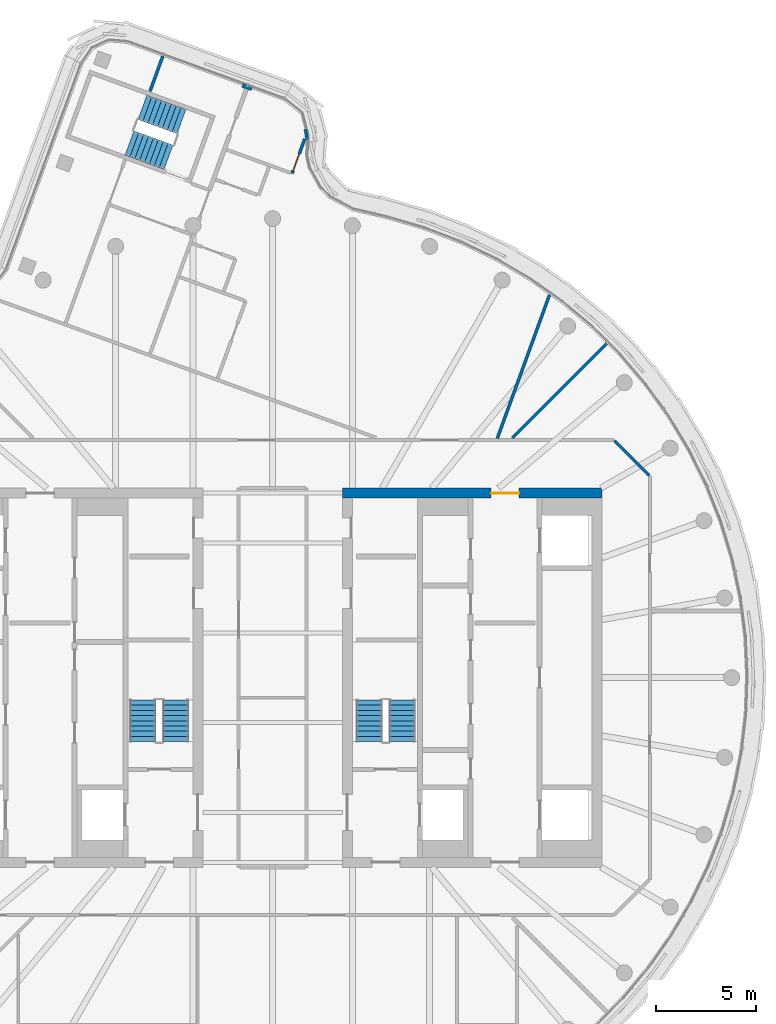
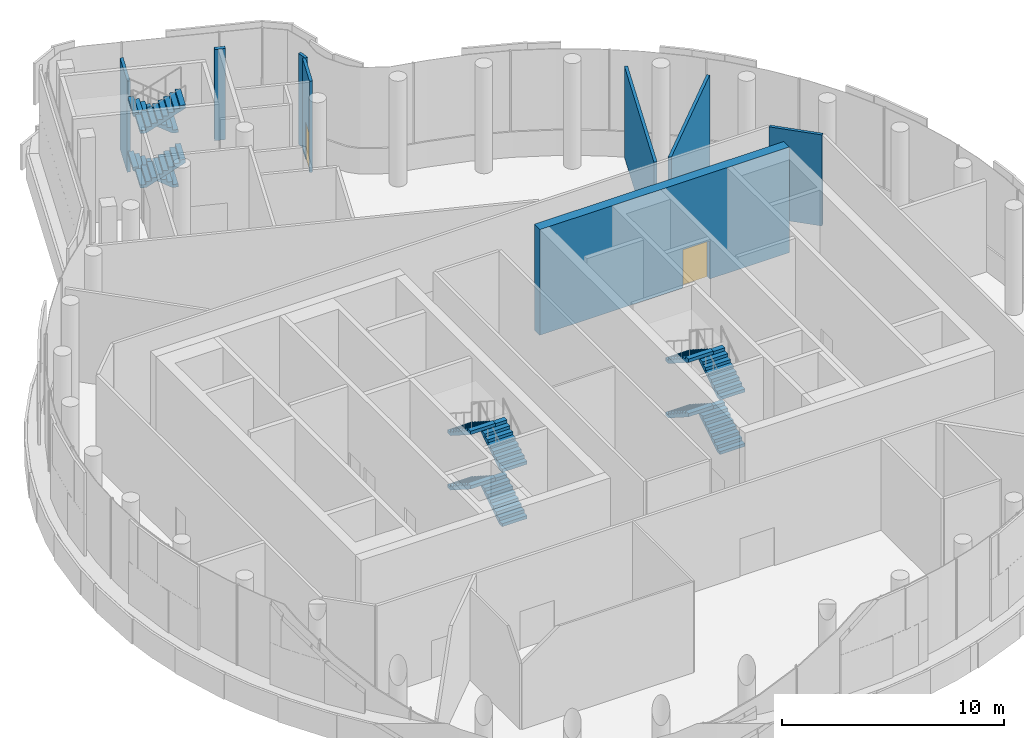
# One storey, part 14 of 18: 12 stair flights, 8 walls, 2 doors, 2 openings, 3 elements without a shape of their own.
"""IFC4 building model written with IfcOpenShell, lengths in metres."""

from ifc_helpers import new_model, si_unit, direction, frame, frame_2d, origin, place, context, subcontext, project, spatial, polyline, rectangle, outline, extrude, material, layer, layer_set, type_object, element, fill, aggregate, save


model = new_model("IFC4")

# Units and contexts
model_context = context("Model", 3, precision=1e-05, world=origin(), true_north=direction((0.0, 1.0)))
body_context = subcontext(model_context, "Body", "Model", "MODEL_VIEW")
ifc_project = project(units=[si_unit("LENGTHUNIT", "METRE"), si_unit("AREAUNIT", "SQUARE_METRE"), si_unit("VOLUMEUNIT", "CUBIC_METRE"), si_unit("PLANEANGLEUNIT", "RADIAN"), si_unit("MASSUNIT", "GRAM", prefix="KILO")], contexts=[model_context])

# Site, building, storey
site_placement = place(None, origin())
site = spatial("IfcSite", under=ifc_project, at=site_placement, CompositionType="ELEMENT")
building_placement = place(site_placement, origin())
building = spatial("IfcBuilding", under=site, at=building_placement, Name="Tamarind Cross Interchange Tower", CompositionType="ELEMENT")
storey_placement = place(building_placement, frame((0.0, 0.0, 299.39990234375)))
storey = spatial("IfcBuildingStorey", under=building, at=storey_placement, Name="L74", CompositionType="ELEMENT", Elevation=299.39990234375)

# Wall, opening, door
ifc_material_1 = material(Name="Concrete C50", Category="concrete")
ifc_layer_1 = layer(ifc_material_1, 0.5)
ifc_layer_set_1 = layer_set([ifc_layer_1], Name="Concrete C50")
wall_type_1 = type_object("IfcWallType", Name="Core wall 500 mm Concrete C50", PredefinedType="SHEAR", material=ifc_layer_set_1)
wall_1_placement = place(storey_placement, frame((16.5, 9.25, 0.0), z_axis=(0.0, 0.0, 1.0), x_axis=(-1.0, 0.0, 0.0)))
wall_1 = element("IfcWall", 1, at=wall_1_placement, inside=storey, type_object=wall_type_1, Name="Core wall CWL-L74-E-N", PredefinedType="SHEAR", context=body_context, shape_type="SweptSolid", body=[
    extrude(rectangle(XDim=13.0, YDim=0.5, at=frame_2d((6.5, 0.0))), origin(), (0.0, 0.0, 1.0), 5.820068359375),
])
opening_1_placement = place(wall_1_placement, frame((4.14990234375, 0.0, 0.0)))
opening_1 = element("IfcOpeningElement", 2, at=opening_1_placement, cuts=wall_1, Name="Opening DCE3", PredefinedType="OPENING", context=body_context, shape_type="SweptSolid", body=[
    extrude(rectangle(XDim=1.39990234375, YDim=2.10009765625, at=frame_2d((0.699951171875, 1.050048828125))), frame((0.0, 0.260009765625, 0.0), z_axis=(0.0, -1.0, 0.0), x_axis=(1.0, 0.0, 0.0)), (0.0, 0.0, 1.0), 0.52001953125),
])
ifc_material_2 = material(Name="Steel, fire-resisting", Category="steel")
door_type_1 = type_object("IfcDoorType", Name="Core fire door 1400 x 2100 FD90", OperationType="SINGLE_SWING_LEFT", PredefinedType="DOOR", material=ifc_material_2)
door_1_placement = place(opening_1_placement, origin())
door_1 = element("IfcDoor", 3, at=door_1_placement, inside=storey, type_object=door_type_1, Name="L74 observation lobby door", OperationType="SINGLE_SWING_LEFT", OverallHeight=2.10009765625, OverallWidth=1.39990234375, PredefinedType="DOOR", context=body_context, shape_type="SweptSolid", body=[
    extrude(rectangle(XDim=1.39990234375, YDim=2.10009765625, at=frame_2d((0.699951171875, 1.050048828125))), frame((0.0, 0.02490234375, 0.0), z_axis=(0.0, -1.0, 0.0), x_axis=(1.0, 0.0, 0.0)), (0.0, 0.0, 1.0), 0.050048828125),
])
fill(opening_1, door_1)

# Walls
ifc_material_3 = material(Name="Gypsum board partition on steel studs", Category="steel")
ifc_layer_2 = layer(ifc_material_3, 0.14990234375)
ifc_layer_set_2 = layer_set([ifc_layer_2], Name="Gypsum board partition on steel studs")
wall_type_2 = type_object("IfcWallType", Name="Partition 150 mm EI 120", PredefinedType="PARTITIONING", material=ifc_layer_set_2)
wall_2_placement = place(storey_placement, frame((17.12841796875, 11.87158203125, 0.0), z_axis=(0.0, 0.0, 1.0), x_axis=(0.707106781187, -0.707106781187, 0.0)))
element("IfcWall", 4, at=wall_2_placement, inside=storey, type_object=wall_type_2, Name="Partition L74-004", PredefinedType="PARTITIONING", context=body_context, shape_type="SweptSolid", body=[
    extrude(rectangle(XDim=2.465087890625, YDim=0.14990234375, at=frame_2d((1.232421875, 0.0))), origin(), (0.0, 0.0, 1.0), 5.02001953125),
])
wall_3_placement = place(storey_placement, frame((12.009521484375, 12.009521484375, 0.0), z_axis=(0.0, 0.0, 1.0), x_axis=(0.707106781187, 0.707106781187, 0.0)))
element("IfcWall", 5, at=wall_3_placement, inside=storey, type_object=wall_type_2, Name="Partition L74-023", PredefinedType="PARTITIONING", context=body_context, shape_type="SweptSolid", body=[
    extrude(rectangle(XDim=6.690673828125, YDim=0.14990234375, at=frame_2d((3.34521484375, 0.0))), origin(), (0.0, 0.0, 1.0), 5.02001953125),
])
wall_4_placement = place(storey_placement, frame((-6.14404296875, 29.38720703125, 0.0), z_axis=(0.0, 0.0, 1.0), x_axis=(0.342080568825, 0.939670625502, 0.0)))
element("IfcWall", 6, at=wall_4_placement, inside=storey, type_object=wall_type_2, Name="Partition L74-026", PredefinedType="PARTITIONING", context=body_context, shape_type="SweptSolid", body=[
    extrude(rectangle(XDim=1.8583984375, YDim=0.14990234375, at=frame_2d((0.92919921875, 0.0))), origin(), (0.0, 0.0, 1.0), 5.02001953125),
])

# Wall, opening, door
wall_5_placement = place(storey_placement, frame((0.974609375, 25.26318359375, 0.0), z_axis=(0.0, 0.0, 1.0), x_axis=(0.341881428649, 0.939743097205, 0.0)))
wall_5 = element("IfcWall", 7, at=wall_5_placement, inside=storey, type_object=wall_type_2, Name="Partition L74-030", PredefinedType="PARTITIONING", context=body_context, shape_type="SweptSolid", body=[
    extrude(rectangle(XDim=1.841796875, YDim=0.14990234375, at=frame_2d((0.9208984375, 0.0))), origin(), (0.0, 0.0, 1.0), 5.02001953125),
])
opening_2_placement = place(wall_5_placement, frame((0.14990234375, 0.0, 0.0)))
opening_2 = element("IfcOpeningElement", 8, at=opening_2_placement, cuts=wall_5, Name="Opening D14", PredefinedType="OPENING", context=body_context, shape_type="SweptSolid", body=[
    extrude(rectangle(XDim=0.89990234375, YDim=2.10009765625, at=frame_2d((0.449951171875, 1.050048828125))), frame((0.0, 0.0849609375, 0.0), z_axis=(0.0, -1.0, 0.0), x_axis=(1.0, 0.0, 0.0)), (0.0, 0.0, 1.0), 0.169921875),
])
ifc_material_4 = material(Name="Fire-resisting door set")
door_type_2 = type_object("IfcDoorType", Name="Interior door 900 x 2100 FD60S", OperationType="SINGLE_SWING_LEFT", PredefinedType="DOOR", material=ifc_material_4)
door_2_placement = place(opening_2_placement, origin())
door_2 = element("IfcDoor", 9, at=door_2_placement, inside=storey, type_object=door_type_2, Name="Door D14", OperationType="SINGLE_SWING_RIGHT", OverallHeight=2.10009765625, OverallWidth=0.89990234375, PredefinedType="DOOR", context=body_context, shape_type="SweptSolid", body=[
    extrude(rectangle(XDim=0.89990234375, YDim=2.10009765625, at=frame_2d((0.449951171875, 1.050048828125))), frame((0.0, 0.02490234375, 0.0), z_axis=(0.0, -1.0, 0.0), x_axis=(1.0, 0.0, 0.0)), (0.0, 0.0, 1.0), 0.050048828125),
])
fill(opening_2, door_2)

# Walls
wall_6_placement = place(storey_placement, frame((11.25390625, 11.984619140625, 0.0), z_axis=(0.0, 0.0, 1.0), x_axis=(0.341891443356, 0.939739453764, 0.0)))
element("IfcWall", 10, at=wall_6_placement, inside=storey, type_object=wall_type_2, Name="Partition L74-033", PredefinedType="PARTITIONING", context=body_context, shape_type="SweptSolid", body=[
    extrude(rectangle(XDim=7.662109375, YDim=0.14990234375, at=frame_2d((3.8310546875, 0.0))), origin(), (0.0, 0.0, 1.0), 5.02001953125),
])
wall_7_placement = place(storey_placement, frame((1.72509765625, 26.972412109375, 0.0), z_axis=(0.0, 0.0, 1.0), x_axis=(-0.155285488936, 0.987869635593, 0.0)))
element("IfcWall", 11, at=wall_7_placement, inside=storey, type_object=wall_type_2, Name="Partition L74-042", PredefinedType="PARTITIONING", context=body_context, shape_type="SweptSolid", body=[
    extrude(rectangle(XDim=0.5, YDim=0.14990234375, at=frame_2d((0.25, 0.0))), origin(), (0.0, 0.0, 1.0), 5.02001953125),
])
ifc_layer_3 = layer(ifc_material_3, 0.199951171875)
ifc_layer_set_3 = layer_set([ifc_layer_3], Name="Gypsum board partition on steel studs")
wall_type_3 = type_object("IfcWallType", Name="Partition 200 mm EI 180", PredefinedType="PARTITIONING", material=ifc_layer_set_3)
wall_8_placement = place(storey_placement, frame((-1.04638671875, 29.509765625, 0.0), z_axis=(0.0, 0.0, 1.0), x_axis=(-0.939736367656, 0.341899925862, 0.0)))
element("IfcWall", 12, at=wall_8_placement, inside=storey, type_object=wall_type_3, Name="Partition L74-043", PredefinedType="PARTITIONING", context=body_context, shape_type="SweptSolid", body=[
    extrude(rectangle(XDim=0.499755859375, YDim=0.199951171875, at=frame_2d((0.25, 0.0))), origin(), (0.0, 0.0, 1.0), 5.02001953125),
])

# Stair, stair flights
ifc_material_5 = material(Name="Exit stair")
stair_type = type_object("IfcStairType", Name="Exit stair", PredefinedType="HALF_TURN_STAIR", material=ifc_material_5)
stair_1_placement = place(storey_placement, origin())
stair_1 = element("IfcStair", 13, at=stair_1_placement, inside=storey, type_object=stair_type, Name="L74 exit stair ST1", PredefinedType="HALF_TURN_STAIR")
ifc_material_6 = material(Name="Exit stair flight")
stair_flight_type = type_object("IfcStairFlightType", Name="Exit stair flight", PredefinedType="STRAIGHT", material=ifc_material_6)
stair_flight_1_placement = place(storey_placement, frame((-4.85009765625, -3.199951171875, 0.0), z_axis=(0.0, 0.0, 1.0), x_axis=(0.0, 1.0, 0.0)))
stair_flight_1 = element("IfcStairFlight", 14, at=stair_flight_1_placement, type_object=stair_flight_type, Name="ST1 flight 1", NumberOfRisers=9, NumberOfTreads=8, PredefinedType="STRAIGHT", RiserHeight=0.166666667, TreadLength=0.26, context=body_context, shape_type="SweptSolid", body=[
    extrude(outline(polyline([(0.0, 0.0), (0.0, 0.166748046875), (0.260009765625, 0.166748046875), (0.260009765625, 0.333251953125), (0.52001953125, 0.333251953125), (0.52001953125, 0.5), (0.780029296875, 0.5), (0.780029296875, 0.666748046875), (1.0400390625, 0.666748046875), (1.0400390625, 0.833251953125), (1.300048828125, 0.833251953125), (1.300048828125, 1.0), (1.56005859375, 1.0), (1.56005859375, 1.166748046875), (1.820068359375, 1.166748046875), (1.820068359375, 1.333251953125), (2.080078125, 1.333251953125), (2.080078125, 1.5), (2.080078125, 1.1552734375), (0.27783203125, 0.0), (0.0, 0.0)])), frame((0.0, 0.64990234375, 0.0), z_axis=(0.0, -1.0, 0.0), x_axis=(1.0, 0.0, 0.0)), (0.0, 0.0, 1.0), 1.300048828125),
])
stair_flight_2_placement = place(storey_placement, frame((-6.5, -1.1201171875, 1.5), z_axis=(0.0, 0.0, 1.0), x_axis=(0.0, -1.0, 0.0)))
stair_flight_2 = element("IfcStairFlight", 15, at=stair_flight_2_placement, type_object=stair_flight_type, Name="ST1 flight 2", NumberOfRisers=9, NumberOfTreads=8, PredefinedType="STRAIGHT", RiserHeight=0.166666667, TreadLength=0.26, context=body_context, shape_type="SweptSolid", body=[
    extrude(outline(polyline([(0.0, 0.0), (0.0, 0.166748046875), (0.260009765625, 0.166748046875), (0.260009765625, 0.333251953125), (0.52001953125, 0.333251953125), (0.52001953125, 0.5), (0.780029296875, 0.5), (0.780029296875, 0.666748046875), (1.0400390625, 0.666748046875), (1.0400390625, 0.833251953125), (1.300048828125, 0.833251953125), (1.300048828125, 1.0), (1.56005859375, 1.0), (1.56005859375, 1.166748046875), (1.820068359375, 1.166748046875), (1.820068359375, 1.333251953125), (2.080078125, 1.333251953125), (2.080078125, 1.5), (2.080078125, 1.1552734375), (0.27783203125, 0.0), (0.0, 0.0)])), frame((0.0, 0.64990234375, 0.0), z_axis=(0.0, -1.0, 0.0), x_axis=(1.0, 0.0, 0.0)), (0.0, 0.0, 1.0), 1.300048828125),
])
stair_flight_3_placement = place(storey_placement, frame((-4.85009765625, -3.199951171875, 3.0), z_axis=(0.0, 0.0, 1.0), x_axis=(0.0, 1.0, 0.0)))
stair_flight_3 = element("IfcStairFlight", 16, at=stair_flight_3_placement, type_object=stair_flight_type, Name="ST1 flight 3", NumberOfRisers=9, NumberOfTreads=8, PredefinedType="STRAIGHT", RiserHeight=0.166666667, TreadLength=0.26, context=body_context, shape_type="SweptSolid", body=[
    extrude(outline(polyline([(0.0, 0.0), (0.0, 0.166748046875), (0.260009765625, 0.166748046875), (0.260009765625, 0.333251953125), (0.52001953125, 0.333251953125), (0.52001953125, 0.5), (0.780029296875, 0.5), (0.780029296875, 0.666748046875), (1.0400390625, 0.666748046875), (1.0400390625, 0.833251953125), (1.300048828125, 0.833251953125), (1.300048828125, 1.0), (1.56005859375, 1.0), (1.56005859375, 1.166748046875), (1.820068359375, 1.166748046875), (1.820068359375, 1.333251953125), (2.080078125, 1.333251953125), (2.080078125, 1.5), (2.080078125, 1.1552734375), (0.27783203125, 0.0), (0.0, 0.0)])), frame((0.0, 0.64990234375, 0.0), z_axis=(0.0, -1.0, 0.0), x_axis=(1.0, 0.0, 0.0)), (0.0, 0.0, 1.0), 1.300048828125),
])
stair_flight_4_placement = place(storey_placement, frame((-6.5, -1.1201171875, 4.5), z_axis=(0.0, 0.0, 1.0), x_axis=(0.0, -1.0, 0.0)))
stair_flight_4 = element("IfcStairFlight", 17, at=stair_flight_4_placement, type_object=stair_flight_type, Name="ST1 flight 4", NumberOfRisers=9, NumberOfTreads=8, PredefinedType="STRAIGHT", RiserHeight=0.166666667, TreadLength=0.26, context=body_context, shape_type="SweptSolid", body=[
    extrude(outline(polyline([(0.0, 0.0), (0.0, 0.166748046875), (0.260009765625, 0.166748046875), (0.260009765625, 0.333251953125), (0.52001953125, 0.333251953125), (0.52001953125, 0.5), (0.780029296875, 0.5), (0.780029296875, 0.666748046875), (1.0400390625, 0.666748046875), (1.0400390625, 0.833251953125), (1.300048828125, 0.833251953125), (1.300048828125, 1.0), (1.56005859375, 1.0), (1.56005859375, 1.166748046875), (1.820068359375, 1.166748046875), (1.820068359375, 1.333251953125), (2.080078125, 1.333251953125), (2.080078125, 1.5), (2.080078125, 1.1552734375), (0.27783203125, 0.0), (0.0, 0.0)])), frame((0.0, 0.64990234375, 0.0), z_axis=(0.0, -1.0, 0.0), x_axis=(1.0, 0.0, 0.0)), (0.0, 0.0, 1.0), 1.300048828125),
])
aggregate(stair_1, [stair_flight_1, stair_flight_2, stair_flight_3, stair_flight_4])

stair_2_placement = place(storey_placement, origin())
stair_2 = element("IfcStair", 18, at=stair_2_placement, inside=storey, type_object=stair_type, Name="L74 exit stair ST2", PredefinedType="HALF_TURN_STAIR")
stair_flight_5_placement = place(storey_placement, frame((6.5, -3.199951171875, 0.0), z_axis=(0.0, 0.0, 1.0), x_axis=(0.0, 1.0, 0.0)))
stair_flight_5 = element("IfcStairFlight", 19, at=stair_flight_5_placement, type_object=stair_flight_type, Name="ST2 flight 1", NumberOfRisers=9, NumberOfTreads=8, PredefinedType="STRAIGHT", RiserHeight=0.166666667, TreadLength=0.26, context=body_context, shape_type="SweptSolid", body=[
    extrude(outline(polyline([(0.0, 0.0), (0.0, 0.166748046875), (0.260009765625, 0.166748046875), (0.260009765625, 0.333251953125), (0.52001953125, 0.333251953125), (0.52001953125, 0.5), (0.780029296875, 0.5), (0.780029296875, 0.666748046875), (1.0400390625, 0.666748046875), (1.0400390625, 0.833251953125), (1.300048828125, 0.833251953125), (1.300048828125, 1.0), (1.56005859375, 1.0), (1.56005859375, 1.166748046875), (1.820068359375, 1.166748046875), (1.820068359375, 1.333251953125), (2.080078125, 1.333251953125), (2.080078125, 1.5), (2.080078125, 1.1552734375), (0.27783203125, 0.0), (0.0, 0.0)])), frame((0.0, 0.64990234375, 0.0), z_axis=(0.0, -1.0, 0.0), x_axis=(1.0, 0.0, 0.0)), (0.0, 0.0, 1.0), 1.300048828125),
])
stair_flight_6_placement = place(storey_placement, frame((4.85009765625, -1.1201171875, 1.5), z_axis=(0.0, 0.0, 1.0), x_axis=(0.0, -1.0, 0.0)))
stair_flight_6 = element("IfcStairFlight", 20, at=stair_flight_6_placement, type_object=stair_flight_type, Name="ST2 flight 2", NumberOfRisers=9, NumberOfTreads=8, PredefinedType="STRAIGHT", RiserHeight=0.166666667, TreadLength=0.26, context=body_context, shape_type="SweptSolid", body=[
    extrude(outline(polyline([(0.0, 0.0), (0.0, 0.166748046875), (0.260009765625, 0.166748046875), (0.260009765625, 0.333251953125), (0.52001953125, 0.333251953125), (0.52001953125, 0.5), (0.780029296875, 0.5), (0.780029296875, 0.666748046875), (1.0400390625, 0.666748046875), (1.0400390625, 0.833251953125), (1.300048828125, 0.833251953125), (1.300048828125, 1.0), (1.56005859375, 1.0), (1.56005859375, 1.166748046875), (1.820068359375, 1.166748046875), (1.820068359375, 1.333251953125), (2.080078125, 1.333251953125), (2.080078125, 1.5), (2.080078125, 1.1552734375), (0.27783203125, 0.0), (0.0, 0.0)])), frame((0.0, 0.64990234375, 0.0), z_axis=(0.0, -1.0, 0.0), x_axis=(1.0, 0.0, 0.0)), (0.0, 0.0, 1.0), 1.300048828125),
])
stair_flight_7_placement = place(storey_placement, frame((6.5, -3.199951171875, 3.0), z_axis=(0.0, 0.0, 1.0), x_axis=(0.0, 1.0, 0.0)))
stair_flight_7 = element("IfcStairFlight", 21, at=stair_flight_7_placement, type_object=stair_flight_type, Name="ST2 flight 3", NumberOfRisers=9, NumberOfTreads=8, PredefinedType="STRAIGHT", RiserHeight=0.166666667, TreadLength=0.26, context=body_context, shape_type="SweptSolid", body=[
    extrude(outline(polyline([(0.0, 0.0), (0.0, 0.166748046875), (0.260009765625, 0.166748046875), (0.260009765625, 0.333251953125), (0.52001953125, 0.333251953125), (0.52001953125, 0.5), (0.780029296875, 0.5), (0.780029296875, 0.666748046875), (1.0400390625, 0.666748046875), (1.0400390625, 0.833251953125), (1.300048828125, 0.833251953125), (1.300048828125, 1.0), (1.56005859375, 1.0), (1.56005859375, 1.166748046875), (1.820068359375, 1.166748046875), (1.820068359375, 1.333251953125), (2.080078125, 1.333251953125), (2.080078125, 1.5), (2.080078125, 1.1552734375), (0.27783203125, 0.0), (0.0, 0.0)])), frame((0.0, 0.64990234375, 0.0), z_axis=(0.0, -1.0, 0.0), x_axis=(1.0, 0.0, 0.0)), (0.0, 0.0, 1.0), 1.300048828125),
])
stair_flight_8_placement = place(storey_placement, frame((4.85009765625, -1.1201171875, 4.5), z_axis=(0.0, 0.0, 1.0), x_axis=(0.0, -1.0, 0.0)))
stair_flight_8 = element("IfcStairFlight", 22, at=stair_flight_8_placement, type_object=stair_flight_type, Name="ST2 flight 4", NumberOfRisers=9, NumberOfTreads=8, PredefinedType="STRAIGHT", RiserHeight=0.166666667, TreadLength=0.26, context=body_context, shape_type="SweptSolid", body=[
    extrude(outline(polyline([(0.0, 0.0), (0.0, 0.166748046875), (0.260009765625, 0.166748046875), (0.260009765625, 0.333251953125), (0.52001953125, 0.333251953125), (0.52001953125, 0.5), (0.780029296875, 0.5), (0.780029296875, 0.666748046875), (1.0400390625, 0.666748046875), (1.0400390625, 0.833251953125), (1.300048828125, 0.833251953125), (1.300048828125, 1.0), (1.56005859375, 1.0), (1.56005859375, 1.166748046875), (1.820068359375, 1.166748046875), (1.820068359375, 1.333251953125), (2.080078125, 1.333251953125), (2.080078125, 1.5), (2.080078125, 1.1552734375), (0.27783203125, 0.0), (0.0, 0.0)])), frame((0.0, 0.64990234375, 0.0), z_axis=(0.0, -1.0, 0.0), x_axis=(1.0, 0.0, 0.0)), (0.0, 0.0, 1.0), 1.300048828125),
])
aggregate(stair_2, [stair_flight_5, stair_flight_6, stair_flight_7, stair_flight_8])

stair_3_placement = place(storey_placement, origin())
stair_3 = element("IfcStair", 23, at=stair_3_placement, inside=storey, type_object=stair_type, Name="L74 exit stair ST4", PredefinedType="HALF_TURN_STAIR")
stair_flight_9_placement = place(storey_placement, frame((-4.5693359375, 27.866455078125, 0.0), z_axis=(0.0, 0.0, 1.0), x_axis=(-0.939702171424, 0.341993902024, 0.0)))
stair_flight_9 = element("IfcStairFlight", 24, at=stair_flight_9_placement, type_object=stair_flight_type, Name="ST4 flight 1", NumberOfRisers=9, NumberOfTreads=8, PredefinedType="STRAIGHT", RiserHeight=0.166666667, TreadLength=0.26, context=body_context, shape_type="SweptSolid", body=[
    extrude(outline(polyline([(0.0, 0.0), (0.0, 0.166748046875), (0.260009765625, 0.166748046875), (0.260009765625, 0.333251953125), (0.52001953125, 0.333251953125), (0.52001953125, 0.5), (0.780029296875, 0.5), (0.780029296875, 0.666748046875), (1.0400390625, 0.666748046875), (1.0400390625, 0.833251953125), (1.300048828125, 0.833251953125), (1.300048828125, 1.0), (1.56005859375, 1.0), (1.56005859375, 1.166748046875), (1.820068359375, 1.166748046875), (1.820068359375, 1.333251953125), (2.080078125, 1.333251953125), (2.080078125, 1.5), (2.080078125, 1.1552734375), (0.27783203125, 0.0), (0.0, 0.0)])), frame((0.0, 0.64990234375, 0.0), z_axis=(0.0, -1.0, 0.0), x_axis=(1.0, 0.0, 0.0)), (0.0, 0.0, 1.0), 1.300048828125),
])
stair_flight_10_placement = place(storey_placement, frame((-7.173583984375, 26.792236328125, 1.5), z_axis=(0.0, 0.0, 1.0), x_axis=(0.939702171424, -0.341993902024, 0.0)))
stair_flight_10 = element("IfcStairFlight", 25, at=stair_flight_10_placement, type_object=stair_flight_type, Name="ST4 flight 2", NumberOfRisers=9, NumberOfTreads=8, PredefinedType="STRAIGHT", RiserHeight=0.166666667, TreadLength=0.26, context=body_context, shape_type="SweptSolid", body=[
    extrude(outline(polyline([(0.0, 0.0), (0.0, 0.166748046875), (0.260009765625, 0.166748046875), (0.260009765625, 0.333251953125), (0.52001953125, 0.333251953125), (0.52001953125, 0.5), (0.780029296875, 0.5), (0.780029296875, 0.666748046875), (1.0400390625, 0.666748046875), (1.0400390625, 0.833251953125), (1.300048828125, 0.833251953125), (1.300048828125, 1.0), (1.56005859375, 1.0), (1.56005859375, 1.166748046875), (1.820068359375, 1.166748046875), (1.820068359375, 1.333251953125), (2.080078125, 1.333251953125), (2.080078125, 1.5), (2.080078125, 1.1552734375), (0.27783203125, 0.0), (0.0, 0.0)])), frame((0.0, 0.64990234375, 0.0), z_axis=(0.0, -1.0, 0.0), x_axis=(1.0, 0.0, 0.0)), (0.0, 0.0, 1.0), 1.300048828125),
])
stair_flight_11_placement = place(storey_placement, frame((-4.5693359375, 27.866455078125, 3.0), z_axis=(0.0, 0.0, 1.0), x_axis=(-0.939702171424, 0.341993902024, 0.0)))
stair_flight_11 = element("IfcStairFlight", 26, at=stair_flight_11_placement, type_object=stair_flight_type, Name="ST4 flight 3", NumberOfRisers=9, NumberOfTreads=8, PredefinedType="STRAIGHT", RiserHeight=0.166666667, TreadLength=0.26, context=body_context, shape_type="SweptSolid", body=[
    extrude(outline(polyline([(0.0, 0.0), (0.0, 0.166748046875), (0.260009765625, 0.166748046875), (0.260009765625, 0.333251953125), (0.52001953125, 0.333251953125), (0.52001953125, 0.5), (0.780029296875, 0.5), (0.780029296875, 0.666748046875), (1.0400390625, 0.666748046875), (1.0400390625, 0.833251953125), (1.300048828125, 0.833251953125), (1.300048828125, 1.0), (1.56005859375, 1.0), (1.56005859375, 1.166748046875), (1.820068359375, 1.166748046875), (1.820068359375, 1.333251953125), (2.080078125, 1.333251953125), (2.080078125, 1.5), (2.080078125, 1.1552734375), (0.27783203125, 0.0), (0.0, 0.0)])), frame((0.0, 0.64990234375, 0.0), z_axis=(0.0, -1.0, 0.0), x_axis=(1.0, 0.0, 0.0)), (0.0, 0.0, 1.0), 1.300048828125),
])
stair_flight_12_placement = place(storey_placement, frame((-7.173583984375, 26.792236328125, 4.5), z_axis=(0.0, 0.0, 1.0), x_axis=(0.939702171424, -0.341993902024, 0.0)))
stair_flight_12 = element("IfcStairFlight", 27, at=stair_flight_12_placement, type_object=stair_flight_type, Name="ST4 flight 4", NumberOfRisers=9, NumberOfTreads=8, PredefinedType="STRAIGHT", RiserHeight=0.166666667, TreadLength=0.26, context=body_context, shape_type="SweptSolid", body=[
    extrude(outline(polyline([(0.0, 0.0), (0.0, 0.166748046875), (0.260009765625, 0.166748046875), (0.260009765625, 0.333251953125), (0.52001953125, 0.333251953125), (0.52001953125, 0.5), (0.780029296875, 0.5), (0.780029296875, 0.666748046875), (1.0400390625, 0.666748046875), (1.0400390625, 0.833251953125), (1.300048828125, 0.833251953125), (1.300048828125, 1.0), (1.56005859375, 1.0), (1.56005859375, 1.166748046875), (1.820068359375, 1.166748046875), (1.820068359375, 1.333251953125), (2.080078125, 1.333251953125), (2.080078125, 1.5), (2.080078125, 1.1552734375), (0.27783203125, 0.0), (0.0, 0.0)])), frame((0.0, 0.64990234375, 0.0), z_axis=(0.0, -1.0, 0.0), x_axis=(1.0, 0.0, 0.0)), (0.0, 0.0, 1.0), 1.300048828125),
])
aggregate(stair_3, [stair_flight_9, stair_flight_10, stair_flight_11, stair_flight_12])

save(model, "model.ifc")
